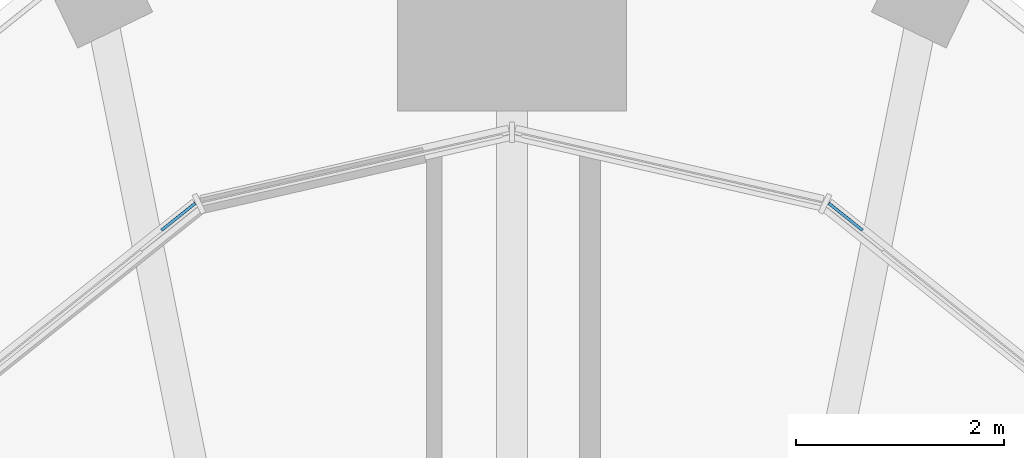
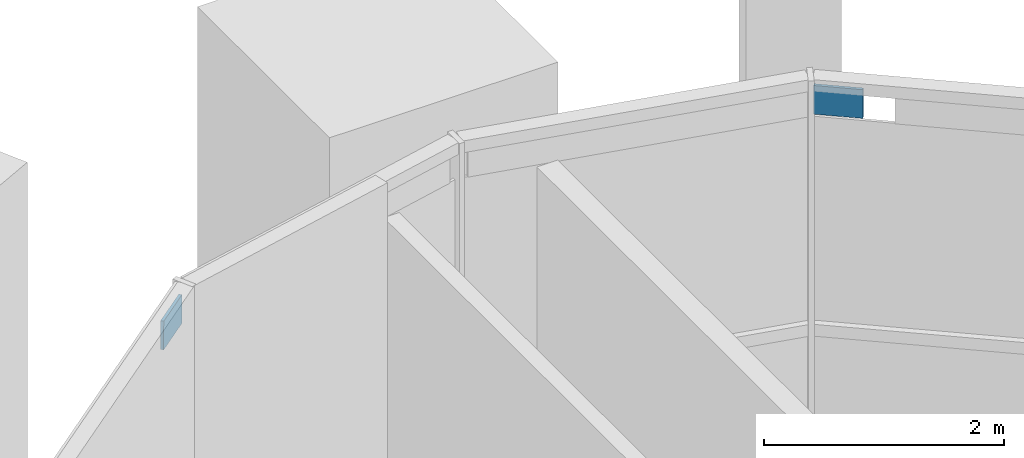
# One storey, part 12 of 23: 2 plates, 1 element without a shape of its own.
"""IFC4 building model written with IfcOpenShell, lengths in metres."""

from ifc_helpers import new_model, si_unit, direction, frame, origin, place, context, subcontext, project, spatial, polyline, outline, extrude, material, layer, layer_set, type_object, element, aggregate, save


model = new_model("IFC4")

# Units and contexts
model_context = context("Model", 3, precision=1e-05, world=origin(), true_north=direction((0.0, 1.0)))
body_context = subcontext(model_context, "Body", "Model", "MODEL_VIEW")
ifc_project = project(units=[si_unit("LENGTHUNIT", "METRE"), si_unit("AREAUNIT", "SQUARE_METRE"), si_unit("VOLUMEUNIT", "CUBIC_METRE"), si_unit("PLANEANGLEUNIT", "RADIAN"), si_unit("MASSUNIT", "GRAM", prefix="KILO")], contexts=[model_context])

# Site, building, storey
site_placement = place(None, origin())
site = spatial("IfcSite", under=ifc_project, at=site_placement, CompositionType="ELEMENT")
building_placement = place(site_placement, origin())
building = spatial("IfcBuilding", under=site, at=building_placement, Name="Mestral Congress Tower", CompositionType="ELEMENT")
storey_placement = place(building_placement, frame((0.0, 0.0, 261.60009765625)))
storey = spatial("IfcBuildingStorey", under=building, at=storey_placement, Name="L61", CompositionType="ELEMENT", Elevation=261.60009765625)

# Curtain wall, plates
ifc_material = material(Name="Clear low-emissivity double glazing", Category="glass")
curtain_wall_type = type_object("IfcCurtainWallType", Name="Facade control room curtain wall", PredefinedType="USERDEFINED", material=ifc_material)
curtain_wall_placement = place(storey_placement, origin())
curtain_wall = element("IfcCurtainWall", 1, at=curtain_wall_placement, inside=storey, type_object=curtain_wall_type, Name="Facade control room curtain wall corner 2", ObjectType="CURTAIN WALL", PredefinedType="USERDEFINED")
ifc_layer = layer(ifc_material, 0.028076171875)
ifc_layer_set = layer_set([ifc_layer], Name="Clear low-emissivity double glazing")
plate_type = type_object("IfcPlateType", Name="Facade control room curtain wall panel", PredefinedType="CURTAIN_PANEL", material=ifc_layer_set)
plate_1_placement = place(storey_placement, frame((3.057861328125, 23.09814453125, 5.02978515625), z_axis=(0.62372713486, 0.781640169474, 0.001762584412), x_axis=(0.001713414503, 0.000887720512, -0.99999813808)))
plate_1 = element("IfcPlate", 2, at=plate_1_placement, type_object=plate_type, Name="Control room glass unit", PredefinedType="CURTAIN_PANEL", context=body_context, shape_type="SweptSolid", body=[
    extrude(outline(polyline([(0.0, 0.0), (0.2919926971906589, 2.710505431213761e-20), (0.2923193074248921, -0.4157137212543785), (0.0003268118196801675, -0.4160568289868912), (0.0, 0.0)])), origin(), (0.0, 0.0, -1.0), 0.028076171875),
])
plate_2_placement = place(storey_placement, frame((-3.058349609375, 23.098388671875, 4.73779296875), z_axis=(-0.62372713486, 0.781640169474, 0.001762584412), x_axis=(0.001713414503, -0.000887720512, 0.99999813808)))
plate_2 = element("IfcPlate", 3, at=plate_2_placement, type_object=plate_type, Name="Control room glass unit", PredefinedType="CURTAIN_PANEL", context=body_context, shape_type="SweptSolid", body=[
    extrude(outline(polyline([(0.0, 0.0), (0.2919926971906589, -2.710505431213761e-20), (0.2916658853709787, -0.4160568289868913), (-0.0003266102342332036, -0.4157137212543785), (0.0, 0.0)])), origin(), (0.0, 0.0, -1.0), 0.028076171875),
])
aggregate(curtain_wall, [plate_1, plate_2])

save(model, "model.ifc")
